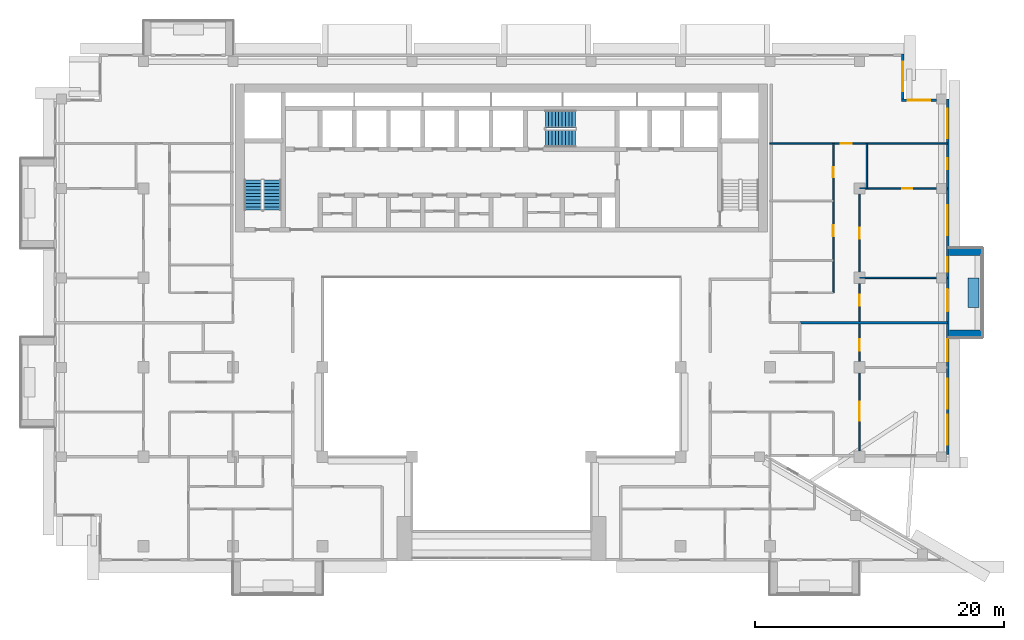
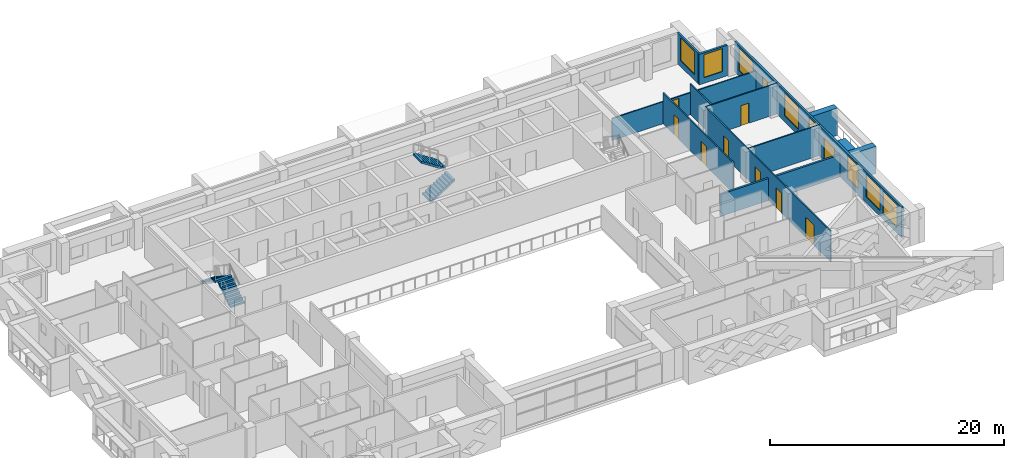
# One storey, part 12 of 20: 13 walls, 9 doors, 9 windows, 4 stair flights, 18 openings, 2 elements without a shape of their own.
"""IFC4 building model written with IfcOpenShell, lengths in metres."""

from ifc_helpers import new_model, si_unit, direction, frame, frame_2d, origin, place, context, subcontext, project, spatial, polyline, rectangle, outline, extrude, material, layer, layer_set, type_object, element, fill, aggregate, save


model = new_model("IFC4")

# Units and contexts
model_context = context("Model", 3, precision=1e-05, world=origin(), true_north=direction((0.0, 1.0)))
body_context = subcontext(model_context, "Body", "Model", "MODEL_VIEW")
ifc_project = project(units=[si_unit("LENGTHUNIT", "METRE"), si_unit("AREAUNIT", "SQUARE_METRE"), si_unit("VOLUMEUNIT", "CUBIC_METRE"), si_unit("PLANEANGLEUNIT", "RADIAN"), si_unit("MASSUNIT", "GRAM", prefix="KILO")], contexts=[model_context])

# Site, building, storey
site_placement = place(None, origin())
site = spatial("IfcSite", under=ifc_project, at=site_placement, CompositionType="ELEMENT")
building_placement = place(site_placement, origin())
building = spatial("IfcBuilding", under=site, at=building_placement, Name="Saffron Iwan Residences", CompositionType="ELEMENT")
storey_placement = place(building_placement, frame((0.0, 0.0, 178.0)))
storey = spatial("IfcBuildingStorey", under=building, at=storey_placement, Name="L47", CompositionType="ELEMENT", Elevation=178.0)

# Walls
ifc_material_1 = material(Name="Concrete C50/60 white painted", Category="concrete")
ifc_layer_1 = layer(ifc_material_1, 0.60009765625)
ifc_layer_set_1 = layer_set([ifc_layer_1], Name="Concrete C50/60 white painted")
wall_type_1 = type_object("IfcWallType", Name="BALCONY FIN 600", PredefinedType="SOLIDWALL", material=ifc_layer_set_1)
for number, where, z_axis, x_axis, name in (
    (1, (86.449951171875, 57.89990234375, 0.0), (0.0, 0.0, 1.0), (1.0, 0.0, 0.0), "Balcony fin L47 F2-0a"),
    (2, (86.449951171875, 64.5, 0.0), (0.0, 0.0, 1.0), (1.0, 0.0, 0.0), "Balcony fin L47 F2-0b"),
):
    element("IfcWall", number, at=place(storey_placement, frame(where, z_axis=z_axis, x_axis=x_axis)), inside=storey, type_object=wall_type_1, Name=name, PredefinedType="SOLIDWALL", context=body_context, shape_type="SweptSolid", body=[
        extrude(rectangle(XDim=2.650146484375, YDim=0.60009765625, at=frame_2d((1.3251953125, 0.0))), origin(), (0.0, 0.0, 1.0), 2.85009765625),
    ])
ifc_material_2 = material(Name="Concrete C35/45 white painted", Category="concrete")
ifc_layer_2 = layer(ifc_material_2, 0.14990234375)
ifc_layer_set_2 = layer_set([ifc_layer_2], Name="Concrete C35/45 white painted")
wall_type_2 = type_object("IfcWallType", Name="BALCONY PLANTER", PredefinedType="SOLIDWALL", material=ifc_layer_set_2)
wall_1_placement = place(storey_placement, frame((88.375, 60.0, 0.0), z_axis=(0.0, 0.0, 1.0), x_axis=(0.0, 1.0, 0.0)))
element("IfcWall", 3, at=wall_1_placement, inside=storey, type_object=wall_type_2, Name="PLANTER L47 F2-0", PredefinedType="SOLIDWALL", context=body_context, shape_type="SweptSolid", body=[
    extrude(rectangle(XDim=2.39990234375, YDim=0.89990234375, at=frame_2d((1.199951171875, 0.0))), origin(), (0.0, 0.0, 1.0), 0.89990234375),
])

# Wall, openings, door, windows
ifc_material_3 = material(Name="Concrete C40/50", Category="concrete")
ifc_layer_3 = layer(ifc_material_3, 0.199951171875)
ifc_layer_set_3 = layer_set([ifc_layer_3], Name="Concrete C40/50")
wall_type_3 = type_object("IfcWallType", Name="EXTERNAL WALL 200", PredefinedType="SOLIDWALL", material=ifc_layer_set_3)
wall_2_placement = place(storey_placement, frame((86.300048828125, 48.199951171875, 0.0), z_axis=(0.0, 0.0, 1.0), x_axis=(0.0, 1.0, 0.0)))
wall_2 = element("IfcWall", 4, at=wall_2_placement, inside=storey, type_object=wall_type_3, Name="External wall L47 F2.0", PredefinedType="SOLIDWALL", context=body_context, shape_type="SweptSolid", body=[
    extrude(rectangle(XDim=28.60009765625, YDim=0.199951171875, at=frame_2d((14.300048828125, 0.0))), origin(), (0.0, 0.0, 1.0), 3.199951171875),
])
opening_1_placement = place(wall_2_placement, frame((11.5, 0.0, 0.0)))
opening_1 = element("IfcOpeningElement", 5, at=opening_1_placement, cuts=wall_2, Name="Opening BD1", PredefinedType="OPENING", context=body_context, shape_type="SweptSolid", body=[
    extrude(rectangle(XDim=1.800048828125, YDim=2.39990234375, at=frame_2d((0.89990234375, 1.199951171875))), frame((0.0, 0.10986328125, 0.0), z_axis=(0.0, -1.0, 0.0), x_axis=(1.0, 0.0, 0.0)), (0.0, 0.0, 1.0), 0.219970703125),
])
opening_2_placement = place(wall_2_placement, frame((0.783203125, 0.0, 0.60009765625)))
opening_2 = element("IfcOpeningElement", 6, at=opening_2_placement, cuts=wall_2, Name="Opening W1", PredefinedType="OPENING", context=body_context, shape_type="SweptSolid", body=[
    extrude(rectangle(XDim=2.39990234375, YDim=2.39990234375, at=frame_2d((1.199951171875, 1.199951171875))), frame((0.0, 0.10986328125, 0.0), z_axis=(0.0, -1.0, 0.0), x_axis=(1.0, 0.0, 0.0)), (0.0, 0.0, 1.0), 0.219970703125),
])
opening_3_placement = place(wall_2_placement, frame((3.666748046875, 0.0, 0.60009765625)))
opening_3 = element("IfcOpeningElement", 7, at=opening_3_placement, cuts=wall_2, Name="Opening W1", PredefinedType="OPENING", context=body_context, shape_type="SweptSolid", body=[
    extrude(rectangle(XDim=2.39990234375, YDim=2.39990234375, at=frame_2d((1.199951171875, 1.199951171875))), frame((0.0, 0.10986328125, 0.0), z_axis=(0.0, -1.0, 0.0), x_axis=(1.0, 0.0, 0.0)), (0.0, 0.0, 1.0), 0.219970703125),
])
opening_4_placement = place(wall_2_placement, frame((7.47509765625, 0.0, 0.60009765625)))
opening_4 = element("IfcOpeningElement", 8, at=opening_4_placement, cuts=wall_2, Name="Opening W8", PredefinedType="OPENING", context=body_context, shape_type="SweptSolid", body=[
    extrude(rectangle(XDim=1.800048828125, YDim=2.39990234375, at=frame_2d((0.89990234375, 1.199951171875))), frame((0.0, 0.10986328125, 0.0), z_axis=(0.0, -1.0, 0.0), x_axis=(1.0, 0.0, 0.0)), (0.0, 0.0, 1.0), 0.219970703125),
])
opening_5_placement = place(wall_2_placement, frame((14.675048828125, 0.0, 0.60009765625)))
opening_5 = element("IfcOpeningElement", 9, at=opening_5_placement, cuts=wall_2, Name="Opening W3", PredefinedType="OPENING", context=body_context, shape_type="SweptSolid", body=[
    extrude(rectangle(XDim=1.199951171875, YDim=2.39990234375, at=frame_2d((0.60009765625, 1.199951171875))), frame((0.0, 0.10986328125, 0.0), z_axis=(0.0, -1.0, 0.0), x_axis=(1.0, 0.0, 0.0)), (0.0, 0.0, 1.0), 0.219970703125),
])
opening_6_placement = place(wall_2_placement, frame((17.625, 0.0, 0.60009765625)))
opening_6 = element("IfcOpeningElement", 10, at=opening_6_placement, cuts=wall_2, Name="Opening W1", PredefinedType="OPENING", context=body_context, shape_type="SweptSolid", body=[
    extrude(rectangle(XDim=2.39990234375, YDim=2.39990234375, at=frame_2d((1.199951171875, 1.199951171875))), frame((0.0, 0.10986328125, 0.0), z_axis=(0.0, -1.0, 0.0), x_axis=(1.0, 0.0, 0.0)), (0.0, 0.0, 1.0), 0.219970703125),
])
opening_7_placement = place(wall_2_placement, frame((22.925048828125, 0.0, 1.5)))
opening_7 = element("IfcOpeningElement", 11, at=opening_7_placement, cuts=wall_2, Name="Opening W6", PredefinedType="OPENING", context=body_context, shape_type="SweptSolid", body=[
    extrude(rectangle(XDim=0.89990234375, YDim=0.89990234375, at=frame_2d((0.449951171875, 0.449951171875))), frame((0.0, 0.10986328125, 0.0), z_axis=(0.0, -1.0, 0.0), x_axis=(1.0, 0.0, 0.0)), (0.0, 0.0, 1.0), 0.219970703125),
])
opening_8_placement = place(wall_2_placement, frame((25.425048828125, 0.0, 0.60009765625)))
opening_8 = element("IfcOpeningElement", 12, at=opening_8_placement, cuts=wall_2, Name="Opening W1", PredefinedType="OPENING", context=body_context, shape_type="SweptSolid", body=[
    extrude(rectangle(XDim=2.39990234375, YDim=2.39990234375, at=frame_2d((1.199951171875, 1.199951171875))), frame((0.0, 0.10986328125, 0.0), z_axis=(0.0, -1.0, 0.0), x_axis=(1.0, 0.0, 0.0)), (0.0, 0.0, 1.0), 0.219970703125),
])
ifc_material_4 = material(Name="Clear glass, laminated double glazed", Category="glass")
door_type_1 = type_object("IfcDoorType", Name="BALCONY DOOR 1800 x 2400", OperationType="DOUBLE_DOOR_SLIDING", PredefinedType="DOOR", material=ifc_material_4)
door_1_placement = place(opening_1_placement, origin())
door_1 = element("IfcDoor", 13, at=door_1_placement, inside=storey, type_object=door_type_1, Name="Balcony door L47 F2.0", OperationType="DOUBLE_DOOR_SLIDING", OverallHeight=2.39990234375, OverallWidth=1.800048828125, PredefinedType="DOOR", context=body_context, shape_type="SweptSolid", body=[
    extrude(rectangle(XDim=1.800048828125, YDim=2.39990234375, at=frame_2d((0.89990234375, 1.199951171875))), frame((0.0, 0.02490234375, 0.0), z_axis=(0.0, -1.0, 0.0), x_axis=(1.0, 0.0, 0.0)), (0.0, 0.0, 1.0), 0.050048828125),
])
fill(opening_1, door_1)
window_type_1 = type_object("IfcWindowType", Name="WINDOW 1200 x 2400", PartitioningType="SINGLE_PANEL", PredefinedType="WINDOW", material=ifc_material_4)
window_1_placement = place(opening_5_placement, origin())
window_1 = element("IfcWindow", 14, at=window_1_placement, inside=storey, type_object=window_type_1, Name="Window L47 F2.4", OverallHeight=2.39990234375, OverallWidth=1.199951171875, PartitioningType="SINGLE_PANEL", PredefinedType="WINDOW", context=body_context, shape_type="SweptSolid", body=[
    extrude(rectangle(XDim=1.199951171875, YDim=2.39990234375, at=frame_2d((0.60009765625, 1.199951171875))), frame((0.0, 0.030029296875, 0.0), z_axis=(0.0, -1.0, 0.0), x_axis=(1.0, 0.0, 0.0)), (0.0, 0.0, 1.0), 0.06005859375),
])
fill(opening_5, window_1)
window_type_2 = type_object("IfcWindowType", Name="WINDOW 1800 x 2400", PartitioningType="DOUBLE_PANEL_VERTICAL", PredefinedType="WINDOW", material=ifc_material_4)
window_2_placement = place(opening_4_placement, origin())
window_2 = element("IfcWindow", 15, at=window_2_placement, inside=storey, type_object=window_type_2, Name="Window L47 F2.3", OverallHeight=2.39990234375, OverallWidth=1.800048828125, PartitioningType="DOUBLE_PANEL_VERTICAL", PredefinedType="WINDOW", context=body_context, shape_type="SweptSolid", body=[
    extrude(rectangle(XDim=1.800048828125, YDim=2.39990234375, at=frame_2d((0.89990234375, 1.199951171875))), frame((0.0, 0.030029296875, 0.0), z_axis=(0.0, -1.0, 0.0), x_axis=(1.0, 0.0, 0.0)), (0.0, 0.0, 1.0), 0.06005859375),
])
fill(opening_4, window_2)
window_type_3 = type_object("IfcWindowType", Name="WINDOW 2400 x 2400", PartitioningType="DOUBLE_PANEL_VERTICAL", PredefinedType="WINDOW", material=ifc_material_4)
window_3_placement = place(opening_2_placement, origin())
window_3 = element("IfcWindow", 16, at=window_3_placement, inside=storey, type_object=window_type_3, Name="Window L47 F2.1", OverallHeight=2.39990234375, OverallWidth=2.39990234375, PartitioningType="DOUBLE_PANEL_VERTICAL", PredefinedType="WINDOW", context=body_context, shape_type="SweptSolid", body=[
    extrude(rectangle(XDim=2.39990234375, YDim=2.39990234375, at=frame_2d((1.199951171875, 1.199951171875))), frame((0.0, 0.030029296875, 0.0), z_axis=(0.0, -1.0, 0.0), x_axis=(1.0, 0.0, 0.0)), (0.0, 0.0, 1.0), 0.06005859375),
])
fill(opening_2, window_3)
window_4_placement = place(opening_3_placement, origin())
window_4 = element("IfcWindow", 17, at=window_4_placement, inside=storey, type_object=window_type_3, Name="Window L47 F2.2", OverallHeight=2.39990234375, OverallWidth=2.39990234375, PartitioningType="DOUBLE_PANEL_VERTICAL", PredefinedType="WINDOW", context=body_context, shape_type="SweptSolid", body=[
    extrude(rectangle(XDim=2.39990234375, YDim=2.39990234375, at=frame_2d((1.199951171875, 1.199951171875))), frame((0.0, 0.030029296875, 0.0), z_axis=(0.0, -1.0, 0.0), x_axis=(1.0, 0.0, 0.0)), (0.0, 0.0, 1.0), 0.06005859375),
])
fill(opening_3, window_4)
window_5_placement = place(opening_6_placement, origin())
window_5 = element("IfcWindow", 18, at=window_5_placement, inside=storey, type_object=window_type_3, Name="Window L47 F2.5", OverallHeight=2.39990234375, OverallWidth=2.39990234375, PartitioningType="DOUBLE_PANEL_VERTICAL", PredefinedType="WINDOW", context=body_context, shape_type="SweptSolid", body=[
    extrude(rectangle(XDim=2.39990234375, YDim=2.39990234375, at=frame_2d((1.199951171875, 1.199951171875))), frame((0.0, 0.030029296875, 0.0), z_axis=(0.0, -1.0, 0.0), x_axis=(1.0, 0.0, 0.0)), (0.0, 0.0, 1.0), 0.06005859375),
])
fill(opening_6, window_5)
window_6_placement = place(opening_8_placement, origin())
window_6 = element("IfcWindow", 19, at=window_6_placement, inside=storey, type_object=window_type_3, Name="Window L47 F2.7", OverallHeight=2.39990234375, OverallWidth=2.39990234375, PartitioningType="DOUBLE_PANEL_VERTICAL", PredefinedType="WINDOW", context=body_context, shape_type="SweptSolid", body=[
    extrude(rectangle(XDim=2.39990234375, YDim=2.39990234375, at=frame_2d((1.199951171875, 1.199951171875))), frame((0.0, 0.030029296875, 0.0), z_axis=(0.0, -1.0, 0.0), x_axis=(1.0, 0.0, 0.0)), (0.0, 0.0, 1.0), 0.06005859375),
])
fill(opening_8, window_6)
window_type_4 = type_object("IfcWindowType", Name="WINDOW 900 x 900 BATH", PartitioningType="SINGLE_PANEL", PredefinedType="WINDOW", material=ifc_material_4)
window_7_placement = place(opening_7_placement, origin())
window_7 = element("IfcWindow", 20, at=window_7_placement, inside=storey, type_object=window_type_4, Name="Window L47 F2.6", OverallHeight=0.89990234375, OverallWidth=0.89990234375, PartitioningType="SINGLE_PANEL", PredefinedType="WINDOW", context=body_context, shape_type="SweptSolid", body=[
    extrude(rectangle(XDim=0.89990234375, YDim=0.89990234375, at=frame_2d((0.449951171875, 0.449951171875))), frame((0.0, 0.030029296875, 0.0), z_axis=(0.0, -1.0, 0.0), x_axis=(1.0, 0.0, 0.0)), (0.0, 0.0, 1.0), 0.06005859375),
])
fill(opening_7, window_7)

# Wall, opening, window
wall_3_placement = place(storey_placement, frame((85.39990234375, 76.699951171875, 0.0), z_axis=(0.0, 0.0, 1.0), x_axis=(-1.0, 0.0, 0.0)))
wall_3 = element("IfcWall", 21, at=wall_3_placement, inside=storey, type_object=wall_type_3, Name="External wall L47 F3.0", PredefinedType="SOLIDWALL", context=body_context, shape_type="SweptSolid", body=[
    extrude(rectangle(XDim=2.7998046875, YDim=0.199951171875, at=frame_2d((1.39990234375, 0.0))), origin(), (0.0, 0.0, 1.0), 3.199951171875),
])
opening_9_placement = place(wall_3_placement, frame((0.5, 0.0, 0.60009765625)))
opening_9 = element("IfcOpeningElement", 22, at=opening_9_placement, cuts=wall_3, Name="Opening W8", PredefinedType="OPENING", context=body_context, shape_type="SweptSolid", body=[
    extrude(rectangle(XDim=1.800048828125, YDim=2.39990234375, at=frame_2d((0.89990234375, 1.199951171875))), frame((0.0, 0.10986328125, 0.0), z_axis=(0.0, -1.0, 0.0), x_axis=(1.0, 0.0, 0.0)), (0.0, 0.0, 1.0), 0.219970703125),
])
window_8_placement = place(opening_9_placement, origin())
window_8 = element("IfcWindow", 23, at=window_8_placement, inside=storey, type_object=window_type_2, Name="Window L47 F3.0", OverallHeight=2.39990234375, OverallWidth=1.800048828125, PartitioningType="DOUBLE_PANEL_VERTICAL", PredefinedType="WINDOW", context=body_context, shape_type="SweptSolid", body=[
    extrude(rectangle(XDim=1.800048828125, YDim=2.39990234375, at=frame_2d((0.89990234375, 1.199951171875))), frame((0.0, 0.030029296875, 0.0), z_axis=(0.0, -1.0, 0.0), x_axis=(1.0, 0.0, 0.0)), (0.0, 0.0, 1.0), 0.06005859375),
])
fill(opening_9, window_8)

wall_4_placement = place(storey_placement, frame((82.699951171875, 76.800048828125, 0.0), z_axis=(0.0, 0.0, 1.0), x_axis=(0.0, 1.0, 0.0)))
wall_4 = element("IfcWall", 24, at=wall_4_placement, inside=storey, type_object=wall_type_3, Name="External wall L47 F4.0", PredefinedType="SOLIDWALL", context=body_context, shape_type="SweptSolid", body=[
    extrude(rectangle(XDim=3.599853515625, YDim=0.199951171875, at=frame_2d((1.7998046875, 0.0))), origin(), (0.0, 0.0, 1.0), 3.199951171875),
])
opening_10_placement = place(wall_4_placement, frame((0.60009765625, 0.0, 0.60009765625)))
opening_10 = element("IfcOpeningElement", 25, at=opening_10_placement, cuts=wall_4, Name="Opening W1", PredefinedType="OPENING", context=body_context, shape_type="SweptSolid", body=[
    extrude(rectangle(XDim=2.39990234375, YDim=2.39990234375, at=frame_2d((1.199951171875, 1.199951171875))), frame((0.0, 0.10986328125, 0.0), z_axis=(0.0, -1.0, 0.0), x_axis=(1.0, 0.0, 0.0)), (0.0, 0.0, 1.0), 0.219970703125),
])
window_9_placement = place(opening_10_placement, origin())
window_9 = element("IfcWindow", 26, at=window_9_placement, inside=storey, type_object=window_type_3, Name="Window L47 F4.0", OverallHeight=2.39990234375, OverallWidth=2.39990234375, PartitioningType="DOUBLE_PANEL_VERTICAL", PredefinedType="WINDOW", context=body_context, shape_type="SweptSolid", body=[
    extrude(rectangle(XDim=2.39990234375, YDim=2.39990234375, at=frame_2d((1.199951171875, 1.199951171875))), frame((0.0, 0.030029296875, 0.0), z_axis=(0.0, -1.0, 0.0), x_axis=(1.0, 0.0, 0.0)), (0.0, 0.0, 1.0), 0.06005859375),
])
fill(opening_10, window_9)

# Walls
ifc_material_5 = material(Name="Fire-rated gypsum board wall")
ifc_layer_4 = layer(ifc_material_5, 0.199951171875)
ifc_layer_set_4 = layer_set([ifc_layer_4], Name="Fire-rated gypsum board wall")
wall_type_4 = type_object("IfcWallType", Name="Flat demising wall 200", PredefinedType="SOLIDWALL", material=ifc_layer_set_4)
wall_5_placement = place(storey_placement, frame((74.39990234375, 58.800048828125, 0.0), z_axis=(0.0, 0.0, 1.0), x_axis=(1.0, 0.0, 0.0)))
element("IfcWall", 27, at=wall_5_placement, inside=storey, type_object=wall_type_4, Name="W-L47-DEMISE-h58.8-74.4", PredefinedType="SOLIDWALL", context=body_context, shape_type="SweptSolid", body=[
    extrude(rectangle(XDim=11.875, YDim=0.199951171875, at=frame_2d((5.9375, 0.0))), origin(), (0.0, 0.0, 1.0), 2.300048828125),
])
ifc_material_6 = material(Name="Gypsum board partition")
ifc_layer_5 = layer(ifc_material_6, 0.1201171875)
ifc_layer_set_5 = layer_set([ifc_layer_5], Name="Gypsum board partition")
wall_type_5 = type_object("IfcWallType", Name="Flat partition 120", PredefinedType="PARTITIONING", material=ifc_layer_set_5)
wall_6_placement = place(storey_placement, frame((79.199951171875, 62.39990234375, 0.0), z_axis=(0.0, 0.0, 1.0), x_axis=(1.0, 0.0, 0.0)))
element("IfcWall", 28, at=wall_6_placement, inside=storey, type_object=wall_type_5, Name="W-L47-PART-h62.4-79.2", PredefinedType="PARTITIONING", context=body_context, shape_type="SweptSolid", body=[
    extrude(rectangle(XDim=7.074951171875, YDim=0.1201171875, at=frame_2d((3.53759765625, 0.0))), origin(), (0.0, 0.0, 1.0), 3.199951171875),
])

# Wall, opening, door
wall_7_placement = place(storey_placement, frame((79.199951171875, 69.60009765625, 0.0), z_axis=(0.0, 0.0, 1.0), x_axis=(1.0, 0.0, 0.0)))
wall_7 = element("IfcWall", 29, at=wall_7_placement, inside=storey, type_object=wall_type_5, Name="W-L47-PART-h69.6-79.2", PredefinedType="PARTITIONING", context=body_context, shape_type="SweptSolid", body=[
    extrude(rectangle(XDim=7.074951171875, YDim=0.1201171875, at=frame_2d((3.53759765625, 0.0))), origin(), (0.0, 0.0, 1.0), 3.199951171875),
])
opening_11_placement = place(wall_7_placement, frame((3.4375, 0.0, 0.0)))
opening_11 = element("IfcOpeningElement", 30, at=opening_11_placement, cuts=wall_7, Name="Opening FD3", PredefinedType="OPENING", context=body_context, shape_type="SweptSolid", body=[
    extrude(rectangle(XDim=0.800048828125, YDim=2.10009765625, at=frame_2d((0.39990234375, 1.050048828125))), frame((0.0, 0.070068359375, 0.0), z_axis=(0.0, -1.0, 0.0), x_axis=(1.0, 0.0, 0.0)), (0.0, 0.0, 1.0), 0.14013671875),
])
ifc_material_7 = material(Name="Timber door", Category="wood")
door_type_2 = type_object("IfcDoorType", Name="Bathroom door 800", OperationType="NOTDEFINED", PredefinedType="DOOR", material=ifc_material_7)
door_2_placement = place(opening_11_placement, origin())
door_2 = element("IfcDoor", 31, at=door_2_placement, inside=storey, type_object=door_type_2, Name="Door L47-034", OperationType="SINGLE_SWING_LEFT", OverallHeight=2.10009765625, OverallWidth=0.800048828125, PredefinedType="DOOR", context=body_context, shape_type="SweptSolid", body=[
    extrude(rectangle(XDim=0.800048828125, YDim=2.10009765625, at=frame_2d((0.39990234375, 1.050048828125))), frame((0.0, 0.02490234375, 0.0), z_axis=(0.0, -1.0, 0.0), x_axis=(1.0, 0.0, 0.0)), (0.0, 0.0, 1.0), 0.050048828125),
])
fill(opening_11, door_2)

wall_8_placement = place(storey_placement, frame((72.0, 73.199951171875, 0.0), z_axis=(0.0, 0.0, 1.0), x_axis=(1.0, 0.0, 0.0)))
wall_8 = element("IfcWall", 32, at=wall_8_placement, inside=storey, type_object=wall_type_5, Name="W-L47-PART-h73.2-72", PredefinedType="PARTITIONING", context=body_context, shape_type="SweptSolid", body=[
    extrude(rectangle(XDim=14.27490234375, YDim=0.1201171875, at=frame_2d((7.137451171875, 0.0))), origin(), (0.0, 0.0, 1.0), 2.300048828125),
])
opening_12_placement = place(wall_8_placement, frame((5.699951171875, 0.0, 0.0)))
opening_12 = element("IfcOpeningElement", 33, at=opening_12_placement, cuts=wall_8, Name="Opening FD2", PredefinedType="OPENING", context=body_context, shape_type="SweptSolid", body=[
    extrude(rectangle(XDim=0.89990234375, YDim=2.10009765625, at=frame_2d((0.449951171875, 1.050048828125))), frame((0.0, 0.070068359375, 0.0), z_axis=(0.0, -1.0, 0.0), x_axis=(1.0, 0.0, 0.0)), (0.0, 0.0, 1.0), 0.14013671875),
])
door_type_3 = type_object("IfcDoorType", Name="Flat door 900", OperationType="NOTDEFINED", PredefinedType="DOOR", material=ifc_material_7)
door_3_placement = place(opening_12_placement, origin())
door_3 = element("IfcDoor", 34, at=door_3_placement, inside=storey, type_object=door_type_3, Name="Door L47-035", OperationType="SINGLE_SWING_RIGHT", OverallHeight=2.10009765625, OverallWidth=0.89990234375, PredefinedType="DOOR", context=body_context, shape_type="SweptSolid", body=[
    extrude(rectangle(XDim=0.89990234375, YDim=2.10009765625, at=frame_2d((0.449951171875, 1.050048828125))), frame((0.0, 0.02490234375, 0.0), z_axis=(0.0, -1.0, 0.0), x_axis=(1.0, 0.0, 0.0)), (0.0, 0.0, 1.0), 0.050048828125),
])
fill(opening_12, door_3)

# Wall, openings, doors
wall_9_placement = place(storey_placement, frame((77.10009765625, 61.199951171875, 0.0), z_axis=(0.0, 0.0, 1.0), x_axis=(0.0, 1.0, 0.0)))
wall_9 = element("IfcWall", 35, at=wall_9_placement, inside=storey, type_object=wall_type_5, Name="W-L47-PART-v77.1-61.2", PredefinedType="PARTITIONING", context=body_context, shape_type="SweptSolid", body=[
    extrude(rectangle(XDim=12.0, YDim=0.1201171875, at=frame_2d((6.0, 0.0))), origin(), (0.0, 0.0, 1.0), 3.199951171875),
])
opening_13_placement = place(wall_9_placement, frame((4.550048828125, 0.0, 0.0)))
opening_13 = element("IfcOpeningElement", 36, at=opening_13_placement, cuts=wall_9, Name="Opening FD2", PredefinedType="OPENING", context=body_context, shape_type="SweptSolid", body=[
    extrude(rectangle(XDim=0.89990234375, YDim=2.10009765625, at=frame_2d((0.449951171875, 1.050048828125))), frame((0.0, 0.070068359375, 0.0), z_axis=(0.0, -1.0, 0.0), x_axis=(1.0, 0.0, 0.0)), (0.0, 0.0, 1.0), 0.14013671875),
])
opening_14_placement = place(wall_9_placement, frame((9.300048828125, 0.0, 0.0)))
opening_14 = element("IfcOpeningElement", 37, at=opening_14_placement, cuts=wall_9, Name="Opening FD3", PredefinedType="OPENING", context=body_context, shape_type="SweptSolid", body=[
    extrude(rectangle(XDim=0.800048828125, YDim=2.10009765625, at=frame_2d((0.39990234375, 1.050048828125))), frame((0.0, 0.070068359375, 0.0), z_axis=(0.0, -1.0, 0.0), x_axis=(1.0, 0.0, 0.0)), (0.0, 0.0, 1.0), 0.14013671875),
])
door_4_placement = place(opening_14_placement, origin())
door_4 = element("IfcDoor", 38, at=door_4_placement, inside=storey, type_object=door_type_2, Name="Door L47-038", OperationType="SINGLE_SWING_RIGHT", OverallHeight=2.10009765625, OverallWidth=0.800048828125, PredefinedType="DOOR", context=body_context, shape_type="SweptSolid", body=[
    extrude(rectangle(XDim=0.800048828125, YDim=2.10009765625, at=frame_2d((0.39990234375, 1.050048828125))), frame((0.0, 0.02490234375, 0.0), z_axis=(0.0, -1.0, 0.0), x_axis=(1.0, 0.0, 0.0)), (0.0, 0.0, 1.0), 0.050048828125),
])
fill(opening_14, door_4)
door_5_placement = place(opening_13_placement, origin())
door_5 = element("IfcDoor", 39, at=door_5_placement, inside=storey, type_object=door_type_3, Name="Door L47-037", OperationType="SINGLE_SWING_LEFT", OverallHeight=2.10009765625, OverallWidth=0.89990234375, PredefinedType="DOOR", context=body_context, shape_type="SweptSolid", body=[
    extrude(rectangle(XDim=0.89990234375, YDim=2.10009765625, at=frame_2d((0.449951171875, 1.050048828125))), frame((0.0, 0.02490234375, 0.0), z_axis=(0.0, -1.0, 0.0), x_axis=(1.0, 0.0, 0.0)), (0.0, 0.0, 1.0), 0.050048828125),
])
fill(opening_13, door_5)

wall_10_placement = place(storey_placement, frame((79.199951171875, 48.125, 0.0), z_axis=(0.0, 0.0, 1.0), x_axis=(0.0, 1.0, 0.0)))
wall_10 = element("IfcWall", 40, at=wall_10_placement, inside=storey, type_object=wall_type_5, Name="W-L47-PART-v79.2-48.125", PredefinedType="PARTITIONING", context=body_context, shape_type="SweptSolid", body=[
    extrude(rectangle(XDim=21.47509765625, YDim=0.1201171875, at=frame_2d((10.737548828125, 0.0))), origin(), (0.0, 0.0, 1.0), 3.199951171875),
])
opening_15_placement = place(wall_10_placement, frame((2.78759765625, 0.0, 0.0)))
opening_15 = element("IfcOpeningElement", 41, at=opening_15_placement, cuts=wall_10, Name="Opening FD4", PredefinedType="OPENING", context=body_context, shape_type="SweptSolid", body=[
    extrude(rectangle(XDim=1.5, YDim=2.10009765625, at=frame_2d((0.75, 1.050048828125))), frame((0.0, 0.070068359375, 0.0), z_axis=(0.0, -1.0, 0.0), x_axis=(1.0, 0.0, 0.0)), (0.0, 0.0, 1.0), 0.14013671875),
])
opening_16_placement = place(wall_10_placement, frame((8.425048828125, 0.0, 0.0)))
opening_16 = element("IfcOpeningElement", 42, at=opening_16_placement, cuts=wall_10, Name="Opening FD2", PredefinedType="OPENING", context=body_context, shape_type="SweptSolid", body=[
    extrude(rectangle(XDim=0.89990234375, YDim=2.10009765625, at=frame_2d((0.449951171875, 1.050048828125))), frame((0.0, 0.070068359375, 0.0), z_axis=(0.0, -1.0, 0.0), x_axis=(1.0, 0.0, 0.0)), (0.0, 0.0, 1.0), 0.14013671875),
])
opening_17_placement = place(wall_10_placement, frame((12.02490234375, 0.0, 0.0)))
opening_17 = element("IfcOpeningElement", 43, at=opening_17_placement, cuts=wall_10, Name="Opening FD2", PredefinedType="OPENING", context=body_context, shape_type="SweptSolid", body=[
    extrude(rectangle(XDim=0.89990234375, YDim=2.10009765625, at=frame_2d((0.449951171875, 1.050048828125))), frame((0.0, 0.070068359375, 0.0), z_axis=(0.0, -1.0, 0.0), x_axis=(1.0, 0.0, 0.0)), (0.0, 0.0, 1.0), 0.14013671875),
])
opening_18_placement = place(wall_10_placement, frame((17.425048828125, 0.0, 0.0)))
opening_18 = element("IfcOpeningElement", 44, at=opening_18_placement, cuts=wall_10, Name="Opening FD2", PredefinedType="OPENING", context=body_context, shape_type="SweptSolid", body=[
    extrude(rectangle(XDim=0.89990234375, YDim=2.10009765625, at=frame_2d((0.449951171875, 1.050048828125))), frame((0.0, 0.070068359375, 0.0), z_axis=(0.0, -1.0, 0.0), x_axis=(1.0, 0.0, 0.0)), (0.0, 0.0, 1.0), 0.14013671875),
])
door_type_4 = type_object("IfcDoorType", Name="Double door 1500", OperationType="NOTDEFINED", PredefinedType="DOOR", material=ifc_material_7)
door_6_placement = place(opening_15_placement, origin())
door_6 = element("IfcDoor", 45, at=door_6_placement, inside=storey, type_object=door_type_4, Name="Door L47-015", OperationType="SINGLE_SWING_LEFT", OverallHeight=2.10009765625, OverallWidth=1.5, PredefinedType="DOOR", context=body_context, shape_type="SweptSolid", body=[
    extrude(rectangle(XDim=1.5, YDim=2.10009765625, at=frame_2d((0.75, 1.050048828125))), frame((0.0, 0.02490234375, 0.0), z_axis=(0.0, -1.0, 0.0), x_axis=(1.0, 0.0, 0.0)), (0.0, 0.0, 1.0), 0.050048828125),
])
fill(opening_15, door_6)
door_7_placement = place(opening_16_placement, origin())
door_7 = element("IfcDoor", 46, at=door_7_placement, inside=storey, type_object=door_type_3, Name="Door L47-016", OperationType="SINGLE_SWING_LEFT", OverallHeight=2.10009765625, OverallWidth=0.89990234375, PredefinedType="DOOR", context=body_context, shape_type="SweptSolid", body=[
    extrude(rectangle(XDim=0.89990234375, YDim=2.10009765625, at=frame_2d((0.449951171875, 1.050048828125))), frame((0.0, 0.02490234375, 0.0), z_axis=(0.0, -1.0, 0.0), x_axis=(1.0, 0.0, 0.0)), (0.0, 0.0, 1.0), 0.050048828125),
])
fill(opening_16, door_7)
door_8_placement = place(opening_17_placement, origin())
door_8 = element("IfcDoor", 47, at=door_8_placement, inside=storey, type_object=door_type_3, Name="Door L47-032", OperationType="SINGLE_SWING_RIGHT", OverallHeight=2.10009765625, OverallWidth=0.89990234375, PredefinedType="DOOR", context=body_context, shape_type="SweptSolid", body=[
    extrude(rectangle(XDim=0.89990234375, YDim=2.10009765625, at=frame_2d((0.449951171875, 1.050048828125))), frame((0.0, 0.02490234375, 0.0), z_axis=(0.0, -1.0, 0.0), x_axis=(1.0, 0.0, 0.0)), (0.0, 0.0, 1.0), 0.050048828125),
])
fill(opening_17, door_8)
door_9_placement = place(opening_18_placement, origin())
door_9 = element("IfcDoor", 48, at=door_9_placement, inside=storey, type_object=door_type_3, Name="Door L47-033", OperationType="SINGLE_SWING_LEFT", OverallHeight=2.10009765625, OverallWidth=0.89990234375, PredefinedType="DOOR", context=body_context, shape_type="SweptSolid", body=[
    extrude(rectangle(XDim=0.89990234375, YDim=2.10009765625, at=frame_2d((0.449951171875, 1.050048828125))), frame((0.0, 0.02490234375, 0.0), z_axis=(0.0, -1.0, 0.0), x_axis=(1.0, 0.0, 0.0)), (0.0, 0.0, 1.0), 0.050048828125),
])
fill(opening_18, door_9)

# Wall
wall_11_placement = place(storey_placement, frame((79.800048828125, 69.60009765625, 0.0), z_axis=(0.0, 0.0, 1.0), x_axis=(0.0, 1.0, 0.0)))
element("IfcWall", 49, at=wall_11_placement, inside=storey, type_object=wall_type_5, Name="W-L47-PART-v79.8-69.6", PredefinedType="PARTITIONING", context=body_context, shape_type="SweptSolid", body=[
    extrude(rectangle(XDim=3.599853515625, YDim=0.1201171875, at=frame_2d((1.7998046875, 0.0))), origin(), (0.0, 0.0, 1.0), 3.199951171875),
])

# Stair, stair flights
ifc_material_8 = material(Name="Concrete C50/60", Category="concrete")
stair_type = type_object("IfcStairType", Name="Stair ST-CORE", PredefinedType="HALF_TURN_STAIR", material=ifc_material_8)
stair_1_placement = place(storey_placement, origin())
stair_1 = element("IfcStair", 50, at=stair_1_placement, inside=storey, type_object=stair_type, Name="L47 Exit Stair ST-W", PredefinedType="HALF_TURN_STAIR")
ifc_layer_6 = layer(ifc_material_8, 0.14990234375)
ifc_layer_set_6 = layer_set([ifc_layer_6], Name="Concrete C50/60")
stair_flight_type = type_object("IfcStairFlightType", Name="Stair flight SFL-RC", PredefinedType="STRAIGHT", material=ifc_layer_set_6)
stair_flight_1_placement = place(storey_placement, frame((31.949951171875, 67.85009765625, 0.0), z_axis=(0.0, 0.0, 1.0), x_axis=(0.0, 1.0, 0.0)))
stair_flight_1 = element("IfcStairFlight", 51, at=stair_flight_1_placement, type_object=stair_flight_type, Name="ST-W flight 1", NumberOfRisers=10, NumberOfTreads=9, PredefinedType="STRAIGHT", RiserHeight=0.175, TreadLength=0.27, context=body_context, shape_type="SweptSolid", body=[
    extrude(outline(polyline([(0.0, 0.0), (0.0, 0.175048828125), (0.27001953125, 0.175048828125), (0.27001953125, 0.35009765625), (0.5400390625, 0.35009765625), (0.5400390625, 0.52490234375), (0.81005859375, 0.52490234375), (0.81005859375, 0.699951171875), (1.080078125, 0.699951171875), (1.080078125, 0.875), (1.35009765625, 0.875), (1.35009765625, 1.050048828125), (1.6201171875, 1.050048828125), (1.6201171875, 1.22509765625), (1.889892578125, 1.22509765625), (1.889892578125, 1.39990234375), (2.159912109375, 1.39990234375), (2.159912109375, 1.574951171875), (2.429931640625, 1.574951171875), (2.429931640625, 1.75), (2.429931640625, 1.396484375), (0.275634765625, 0.0), (0.0, 0.0)])), frame((0.0, 0.699951171875, 0.0), z_axis=(0.0, -1.0, 0.0), x_axis=(1.0, 0.0, 0.0)), (0.0, 0.0, 1.0), 1.39990234375),
])
stair_flight_2_placement = place(storey_placement, frame((30.39990234375, 70.280029296875, 1.75), z_axis=(0.0, 0.0, 1.0), x_axis=(0.0, -1.0, 0.0)))
stair_flight_2 = element("IfcStairFlight", 52, at=stair_flight_2_placement, type_object=stair_flight_type, Name="ST-W flight 2", NumberOfRisers=10, NumberOfTreads=9, PredefinedType="STRAIGHT", RiserHeight=0.175, TreadLength=0.27, context=body_context, shape_type="SweptSolid", body=[
    extrude(outline(polyline([(0.0, 0.0), (0.0, 0.175048828125), (0.27001953125, 0.175048828125), (0.27001953125, 0.35009765625), (0.5400390625, 0.35009765625), (0.5400390625, 0.52490234375), (0.81005859375, 0.52490234375), (0.81005859375, 0.699951171875), (1.080078125, 0.699951171875), (1.080078125, 0.875), (1.35009765625, 0.875), (1.35009765625, 1.050048828125), (1.6201171875, 1.050048828125), (1.6201171875, 1.22509765625), (1.889892578125, 1.22509765625), (1.889892578125, 1.39990234375), (2.159912109375, 1.39990234375), (2.159912109375, 1.574951171875), (2.429931640625, 1.574951171875), (2.429931640625, 1.75), (2.429931640625, 1.396484375), (0.275634765625, 0.0), (0.0, 0.0)])), frame((0.0, 0.699951171875, 0.0), z_axis=(0.0, -1.0, 0.0), x_axis=(1.0, 0.0, 0.0)), (0.0, 0.0, 1.0), 1.39990234375),
])
aggregate(stair_1, [stair_flight_1, stair_flight_2])

stair_2_placement = place(storey_placement, origin())
stair_2 = element("IfcStair", 53, at=stair_2_placement, inside=storey, type_object=stair_type, Name="L47 Exit Stair ST-C", PredefinedType="HALF_TURN_STAIR")
stair_flight_3_placement = place(storey_placement, frame((53.925048828125, 73.625, 0.0), z_axis=(0.0, 0.0, 1.0), x_axis=(1.0, 0.0, 0.0)))
stair_flight_3 = element("IfcStairFlight", 54, at=stair_flight_3_placement, type_object=stair_flight_type, Name="ST-C flight 1", NumberOfRisers=10, NumberOfTreads=9, PredefinedType="STRAIGHT", RiserHeight=0.175, TreadLength=0.27, context=body_context, shape_type="SweptSolid", body=[
    extrude(outline(polyline([(0.0, 0.0), (0.0, 0.175048828125), (0.27001953125, 0.175048828125), (0.27001953125, 0.35009765625), (0.5400390625, 0.35009765625), (0.5400390625, 0.52490234375), (0.81005859375, 0.52490234375), (0.81005859375, 0.699951171875), (1.080078125, 0.699951171875), (1.080078125, 0.875), (1.35009765625, 0.875), (1.35009765625, 1.050048828125), (1.6201171875, 1.050048828125), (1.6201171875, 1.22509765625), (1.889892578125, 1.22509765625), (1.889892578125, 1.39990234375), (2.159912109375, 1.39990234375), (2.159912109375, 1.574951171875), (2.429931640625, 1.574951171875), (2.429931640625, 1.75), (2.429931640625, 1.396484375), (0.275634765625, 0.0), (0.0, 0.0)])), frame((0.0, 0.699951171875, 0.0), z_axis=(0.0, -1.0, 0.0), x_axis=(1.0, 0.0, 0.0)), (0.0, 0.0, 1.0), 1.39990234375),
])
stair_flight_4_placement = place(storey_placement, frame((56.35498046875, 75.175048828125, 1.75), z_axis=(0.0, 0.0, 1.0), x_axis=(-1.0, 0.0, 0.0)))
stair_flight_4 = element("IfcStairFlight", 55, at=stair_flight_4_placement, type_object=stair_flight_type, Name="ST-C flight 2", NumberOfRisers=10, NumberOfTreads=9, PredefinedType="STRAIGHT", RiserHeight=0.175, TreadLength=0.27, context=body_context, shape_type="SweptSolid", body=[
    extrude(outline(polyline([(0.0, 0.0), (0.0, 0.175048828125), (0.27001953125, 0.175048828125), (0.27001953125, 0.35009765625), (0.5400390625, 0.35009765625), (0.5400390625, 0.52490234375), (0.81005859375, 0.52490234375), (0.81005859375, 0.699951171875), (1.080078125, 0.699951171875), (1.080078125, 0.875), (1.35009765625, 0.875), (1.35009765625, 1.050048828125), (1.6201171875, 1.050048828125), (1.6201171875, 1.22509765625), (1.889892578125, 1.22509765625), (1.889892578125, 1.39990234375), (2.159912109375, 1.39990234375), (2.159912109375, 1.574951171875), (2.429931640625, 1.574951171875), (2.429931640625, 1.75), (2.429931640625, 1.396484375), (0.275634765625, 0.0), (0.0, 0.0)])), frame((0.0, 0.699951171875, 0.0), z_axis=(0.0, -1.0, 0.0), x_axis=(1.0, 0.0, 0.0)), (0.0, 0.0, 1.0), 1.39990234375),
])
aggregate(stair_2, [stair_flight_3, stair_flight_4])

save(model, "model.ifc")
